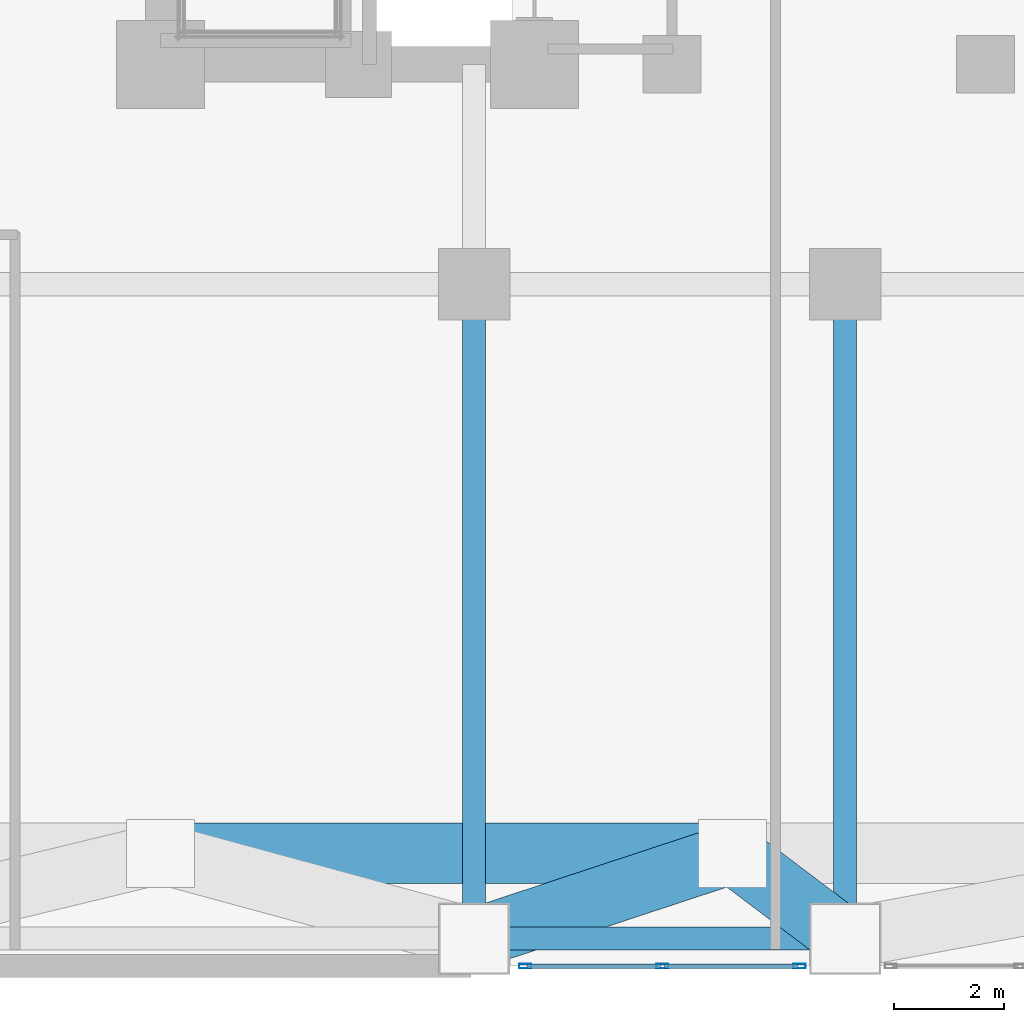
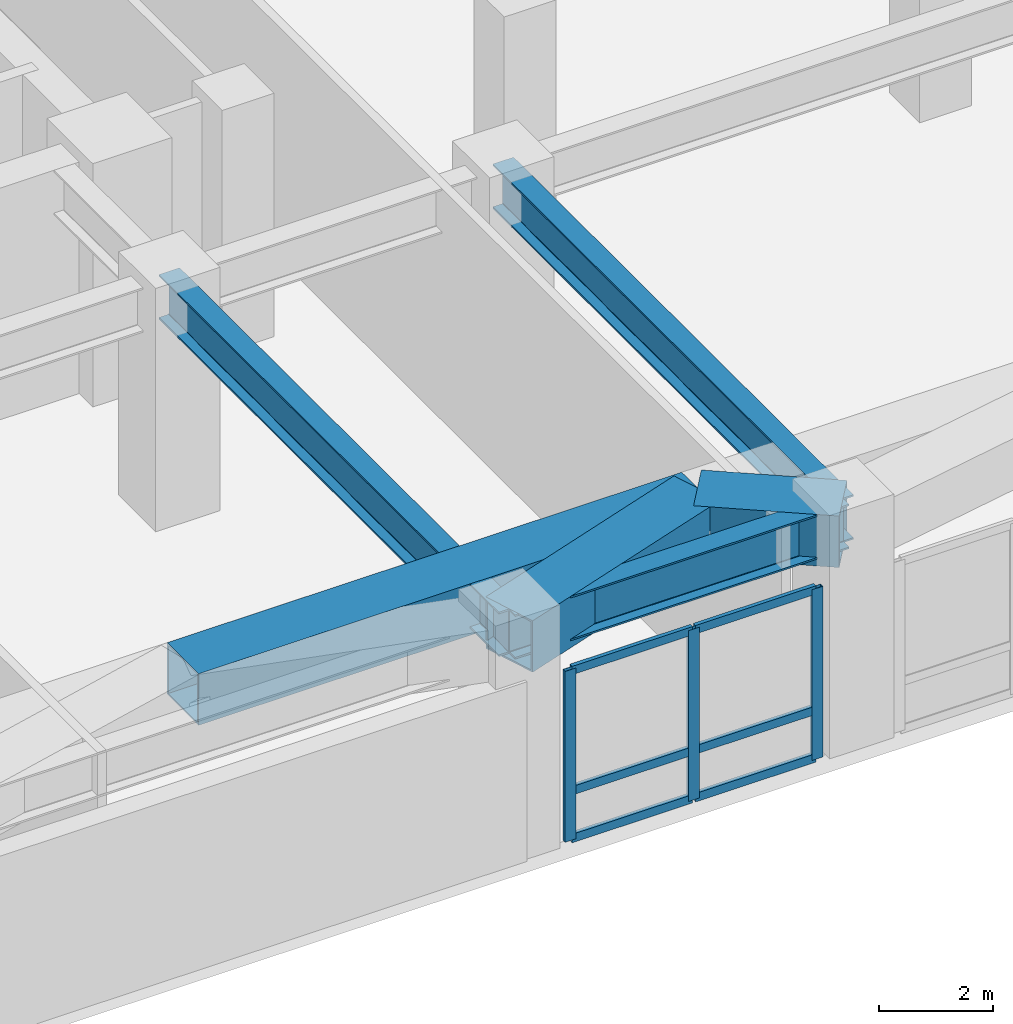
# One storey, part 2 of 20: 9 members, 6 beams, 1 element without a shape of its own.
"""IFC4 building model written with IfcOpenShell, lengths in metres."""

from ifc_helpers import new_model, si_unit, direction, frame, origin, origin_2d, place, context, subcontext, project, spatial, hollow_rectangle, i_section, extrude, material, layer, layer_set, material_profile, profile_set, type_object, element, aggregate, save


model = new_model("IFC4")

# Units and contexts
model_context = context("Model", 3, precision=1e-05, world=origin(), true_north=direction((0.0, 1.0)))
body_context = subcontext(model_context, "Body", "Model", "MODEL_VIEW")
ifc_project = project(units=[si_unit("LENGTHUNIT", "METRE"), si_unit("AREAUNIT", "SQUARE_METRE"), si_unit("VOLUMEUNIT", "CUBIC_METRE"), si_unit("PLANEANGLEUNIT", "RADIAN"), si_unit("MASSUNIT", "GRAM", prefix="KILO")], contexts=[model_context])

# Site, building, storey
site_placement = place(None, origin())
site = spatial("IfcSite", under=ifc_project, at=site_placement, CompositionType="ELEMENT")
building_placement = place(site_placement, origin())
building = spatial("IfcBuilding", under=site, at=building_placement, Name="Voryun Gate Residences", CompositionType="ELEMENT")
storey_placement = place(building_placement, frame((0.0, 0.0, 20.800048828125)))
storey = spatial("IfcBuildingStorey", under=building, at=storey_placement, Name="L04", CompositionType="ELEMENT", Elevation=20.800048828125)

# Beams
ifc_material_1 = material(Name="Steel SM420", Category="steel")
ifc_material_profile_1 = material_profile(ifc_material_1, hollow_rectangle(XDim=1.10009765625, YDim=1.10009765625, WallThickness=0.035888671875, at=origin_2d()), Name="BOX-1100x1100x36")
ifc_profile_set_1 = profile_set([ifc_material_profile_1], Name="Steel SM420")
beam_type_1 = type_object("IfcBeamType", Name="BM_ARCH_RIB", PredefinedType="USERDEFINED", material=ifc_profile_set_1)
beam_1_placement = place(storey_placement, frame((-19.199951171875, -21.75, 4.39990234375), z_axis=(1.0, 0.0, 0.0), x_axis=(0.0, 1.0, 0.0)))
element("IfcBeam", 1, at=beam_1_placement, inside=storey, type_object=beam_type_1, Name="BM-L04-B1RING-02", ObjectType="GIRDER", PredefinedType="USERDEFINED", context=body_context, shape_type="SweptSolid", body=[
    extrude(hollow_rectangle(XDim=1.10009765625, YDim=1.10009765625, WallThickness=0.035888671875, at=origin_2d()), origin(), (0.0, 0.0, 1.0), 10.39990234375),
])
beam_2_placement = place(storey_placement, frame((-6.75, -23.300048828125, 4.39990234375), z_axis=(-0.797657102067, 0.603111223177, 0.0), x_axis=(-0.603111223177, -0.797657102067, 0.0)))
element("IfcBeam", 2, at=beam_2_placement, inside=storey, type_object=beam_type_1, Name="BM-L04-B1RAD1-S3", ObjectType="GIRDER", PredefinedType="USERDEFINED", context=body_context, shape_type="SweptSolid", body=[
    extrude(hollow_rectangle(XDim=1.10009765625, YDim=1.10009765625, WallThickness=0.035888671875, at=origin_2d()), origin(), (0.0, 0.0, 1.0), 2.570068359375),
])
beam_3_placement = place(storey_placement, frame((-13.5, -23.300048828125, 4.39990234375), z_axis=(0.949684861029, 0.313207063668, 0.0), x_axis=(-0.313207063668, 0.949684861029, 0.0)))
element("IfcBeam", 3, at=beam_3_placement, inside=storey, type_object=beam_type_1, Name="BM-L04-B1RAD2-S3", ObjectType="GIRDER", PredefinedType="USERDEFINED", context=body_context, shape_type="SweptSolid", body=[
    extrude(hollow_rectangle(XDim=1.10009765625, YDim=1.10009765625, WallThickness=0.035888671875, at=origin_2d()), origin(), (0.0, 0.0, 1.0), 4.948974609375),
])
ifc_material_2 = material(Name="Steel SM420", Category="steel")
ifc_material_profile_2 = material_profile(ifc_material_2, i_section(OverallWidth=0.419921875, OverallDepth=0.949951171875, WebThickness=0.02001953125, FlangeThickness=0.035888671875, FilletRadius=0.01806640625, at=origin_2d()), Name="H-950x420x20x36")
ifc_profile_set_2 = profile_set([ifc_material_profile_2], Name="Steel SM420")
beam_type_2 = type_object("IfcBeamType", Name="BM_XFER_950", PredefinedType="USERDEFINED", material=ifc_profile_set_2)
beam_4_placement = place(storey_placement, frame((-13.5, -23.300048828125, 4.474853515625), z_axis=(1.0, 0.0, 0.0), x_axis=(0.0, 1.0, 0.0)))
element("IfcBeam", 4, at=beam_4_placement, inside=storey, type_object=beam_type_2, Name="BM-L04-GX--23.3-2", ObjectType="GIRDER", PredefinedType="USERDEFINED", context=body_context, shape_type="SweptSolid", body=[
    extrude(i_section(OverallWidth=0.419921875, OverallDepth=0.949951171875, WebThickness=0.02001953125, FlangeThickness=0.035888671875, FilletRadius=0.01806640625, at=origin_2d()), origin(), (0.0, 0.0, 1.0), 6.75),
])
for number, where, z_axis, x_axis, name in (
    (5, (-13.5, -23.300048828125, 4.474853515625), (0.0, 1.0, 0.0), (-1.0, 0.0, 0.0), "BM-L04-GYA--13.5--23.3"),
    (6, (-6.75, -23.300048828125, 4.474853515625), (0.0, 1.0, 0.0), (-1.0, 0.0, 0.0), "BM-L04-GYM--6.75--23.3"),
):
    element("IfcBeam", number, at=place(storey_placement, frame(where, z_axis=z_axis, x_axis=x_axis)), inside=storey, type_object=beam_type_2, Name=name, ObjectType="GIRDER", PredefinedType="USERDEFINED", context=body_context, shape_type="SweptSolid", body=[
        extrude(i_section(OverallWidth=0.419921875, OverallDepth=0.949951171875, WebThickness=0.02001953125, FlangeThickness=0.035888671875, FilletRadius=0.01806640625, at=origin_2d()), origin(), (0.0, 0.0, 1.0), 11.900146484375),
    ])

# Curtain wall, members
ifc_material_3 = material(Name="Anodised aluminium", Category="aluminium")
ifc_layer = layer(ifc_material_3, 0.219970703125, Name="CW_SYS_POD_DARK_GLASS")
ifc_layer_set = layer_set([ifc_layer], Name="Anodised aluminium")
curtain_wall_type = type_object("IfcCurtainWallType", Name="CW_SYS_POD_DARK_GLASS", PredefinedType="NOTDEFINED", material=ifc_layer_set)
curtain_wall_placement = place(storey_placement, origin())
curtain_wall = element("IfcCurtainWall", 7, at=curtain_wall_placement, inside=storey, type_object=curtain_wall_type, Name="Curtain wall CW1-L04-BRG-1-W", PredefinedType="NOTDEFINED")
ifc_material_4 = material(Name="Anodised aluminium", Category="aluminium")
ifc_material_profile_3 = material_profile(ifc_material_4, hollow_rectangle(XDim=0.080078125, YDim=0.219970703125, WallThickness=0.0048828125, at=origin_2d()), Name="ALU-MULL-220x80x5")
ifc_profile_set_3 = profile_set([ifc_material_profile_3], Name="Anodised aluminium")
member_type_1 = type_object("IfcMemberType", Name="CW_MULL_POD", PredefinedType="MULLION", material=ifc_profile_set_3)
member_1_placement = place(storey_placement, frame((-12.570068359375, -23.800048828125, 0.0), z_axis=(0.0, 0.0, 1.0), x_axis=(0.0, 1.0, 0.0)))
member_1 = element("IfcMember", 8, at=member_1_placement, type_object=member_type_1, Name="CW1 mullion 1", PredefinedType="MULLION", context=body_context, shape_type="SweptSolid", body=[
    extrude(hollow_rectangle(XDim=0.080078125, YDim=0.219970703125, WallThickness=0.0048828125, at=origin_2d()), origin(), (0.0, 0.0, 1.0), 3.64990234375),
])
member_2_placement = place(storey_placement, frame((-10.074951171875, -23.800048828125, 0.0), z_axis=(0.0, 0.0, 1.0), x_axis=(0.0, 1.0, 0.0)))
member_2 = element("IfcMember", 9, at=member_2_placement, type_object=member_type_1, Name="CW1 mullion 2", PredefinedType="MULLION", context=body_context, shape_type="SweptSolid", body=[
    extrude(hollow_rectangle(XDim=0.080078125, YDim=0.219970703125, WallThickness=0.0048828125, at=origin_2d()), origin(), (0.0, 0.0, 1.0), 3.64990234375),
])
member_3_placement = place(storey_placement, frame((-7.580078125, -23.800048828125, 0.0), z_axis=(0.0, 0.0, 1.0), x_axis=(0.0, 1.0, 0.0)))
member_3 = element("IfcMember", 10, at=member_3_placement, type_object=member_type_1, Name="CW1 mullion 3", PredefinedType="MULLION", context=body_context, shape_type="SweptSolid", body=[
    extrude(hollow_rectangle(XDim=0.080078125, YDim=0.219970703125, WallThickness=0.0048828125, at=origin_2d()), origin(), (0.0, 0.0, 1.0), 3.64990234375),
])
ifc_material_5 = material(Name="Anodised aluminium", Category="aluminium")
ifc_material_profile_4 = material_profile(ifc_material_5, hollow_rectangle(XDim=0.080078125, YDim=0.179931640625, WallThickness=0.0048828125, at=origin_2d()), Name="ALU-TRAN-180x80x5")
ifc_profile_set_4 = profile_set([ifc_material_profile_4], Name="Anodised aluminium")
member_type_2 = type_object("IfcMemberType", Name="CW_TRAN_POD", PredefinedType="USERDEFINED", material=ifc_profile_set_4)
member_4_placement = place(storey_placement, frame((-12.5400390625, -23.800048828125, 0.030029296875), z_axis=(1.0, 0.0, 0.0), x_axis=(0.0, 1.0, 0.0)))
member_4 = element("IfcMember", 11, at=member_4_placement, type_object=member_type_2, Name="CW1 transom 1.1", ObjectType="TRANSOM", PredefinedType="USERDEFINED", context=body_context, shape_type="SweptSolid", body=[
    extrude(hollow_rectangle(XDim=0.080078125, YDim=0.179931640625, WallThickness=0.0048828125, at=origin_2d()), origin(), (0.0, 0.0, 1.0), 2.43505859375),
])
member_5_placement = place(storey_placement, frame((-12.5400390625, -23.800048828125, 1.050048828125), z_axis=(1.0, 0.0, 0.0), x_axis=(0.0, 1.0, 0.0)))
member_5 = element("IfcMember", 12, at=member_5_placement, type_object=member_type_2, Name="CW1 transom 1.2", ObjectType="TRANSOM", PredefinedType="USERDEFINED", context=body_context, shape_type="SweptSolid", body=[
    extrude(hollow_rectangle(XDim=0.080078125, YDim=0.179931640625, WallThickness=0.0048828125, at=origin_2d()), origin(), (0.0, 0.0, 1.0), 2.43505859375),
])
member_6_placement = place(storey_placement, frame((-12.5400390625, -23.800048828125, 3.619873046875), z_axis=(1.0, 0.0, 0.0), x_axis=(0.0, 1.0, 0.0)))
member_6 = element("IfcMember", 13, at=member_6_placement, type_object=member_type_2, Name="CW1 transom 1.3", ObjectType="TRANSOM", PredefinedType="USERDEFINED", context=body_context, shape_type="SweptSolid", body=[
    extrude(hollow_rectangle(XDim=0.080078125, YDim=0.179931640625, WallThickness=0.0048828125, at=origin_2d()), origin(), (0.0, 0.0, 1.0), 2.43505859375),
])
member_7_placement = place(storey_placement, frame((-10.044921875, -23.800048828125, 0.030029296875), z_axis=(1.0, 0.0, 0.0), x_axis=(0.0, 1.0, 0.0)))
member_7 = element("IfcMember", 14, at=member_7_placement, type_object=member_type_2, Name="CW1 transom 2.1", ObjectType="TRANSOM", PredefinedType="USERDEFINED", context=body_context, shape_type="SweptSolid", body=[
    extrude(hollow_rectangle(XDim=0.080078125, YDim=0.179931640625, WallThickness=0.0048828125, at=origin_2d()), origin(), (0.0, 0.0, 1.0), 2.434814453125),
])
member_8_placement = place(storey_placement, frame((-10.044921875, -23.800048828125, 1.050048828125), z_axis=(1.0, 0.0, 0.0), x_axis=(0.0, 1.0, 0.0)))
member_8 = element("IfcMember", 15, at=member_8_placement, type_object=member_type_2, Name="CW1 transom 2.2", ObjectType="TRANSOM", PredefinedType="USERDEFINED", context=body_context, shape_type="SweptSolid", body=[
    extrude(hollow_rectangle(XDim=0.080078125, YDim=0.179931640625, WallThickness=0.0048828125, at=origin_2d()), origin(), (0.0, 0.0, 1.0), 2.434814453125),
])
member_9_placement = place(storey_placement, frame((-10.044921875, -23.800048828125, 3.619873046875), z_axis=(1.0, 0.0, 0.0), x_axis=(0.0, 1.0, 0.0)))
member_9 = element("IfcMember", 16, at=member_9_placement, type_object=member_type_2, Name="CW1 transom 2.3", ObjectType="TRANSOM", PredefinedType="USERDEFINED", context=body_context, shape_type="SweptSolid", body=[
    extrude(hollow_rectangle(XDim=0.080078125, YDim=0.179931640625, WallThickness=0.0048828125, at=origin_2d()), origin(), (0.0, 0.0, 1.0), 2.434814453125),
])
aggregate(curtain_wall, [member_1, member_2, member_3, member_4, member_5, member_6, member_7, member_8, member_9])

save(model, "model.ifc")
